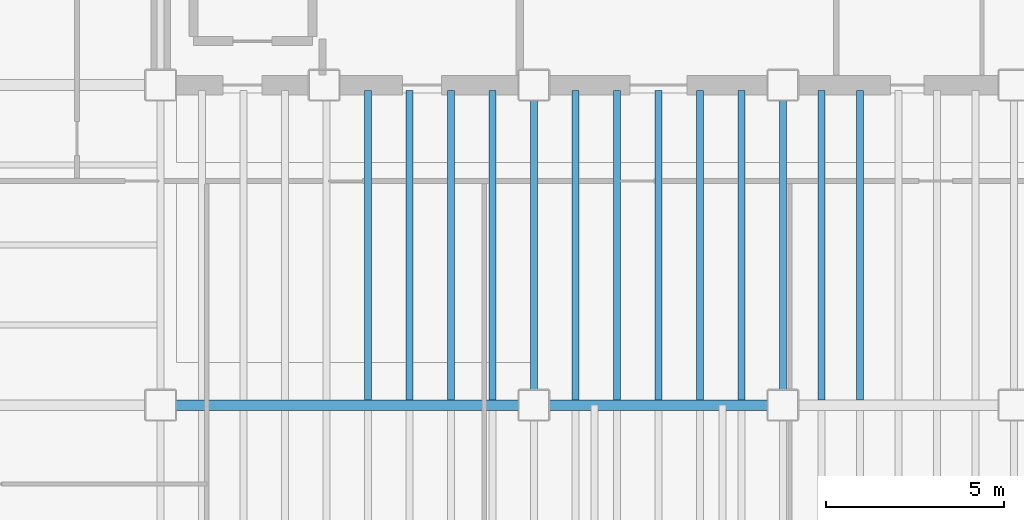
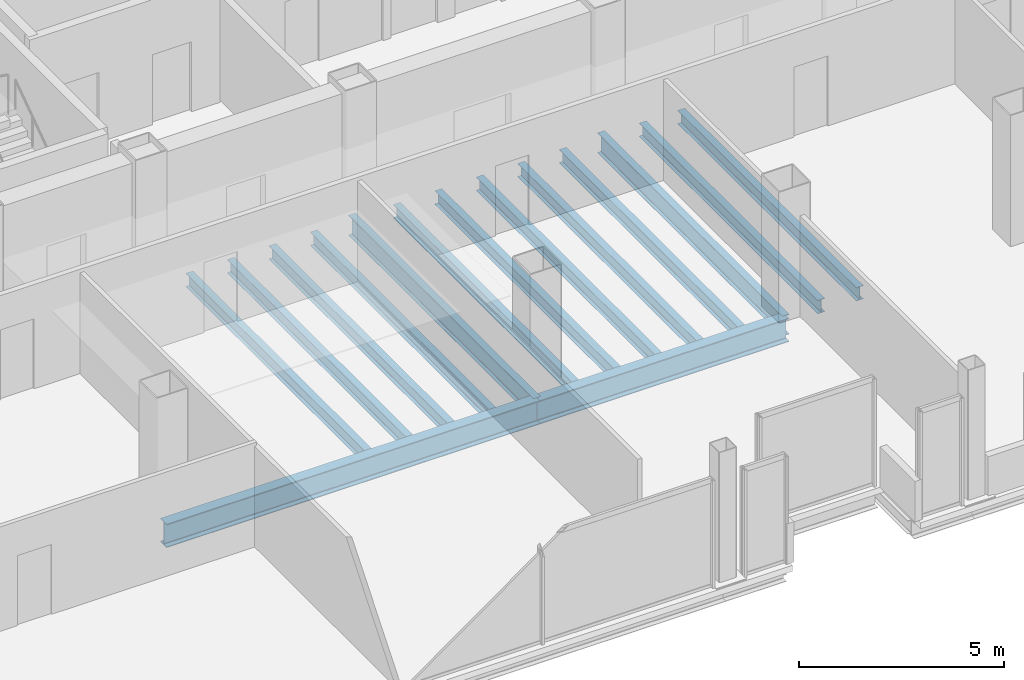
# One storey, part 6 of 20: 15 beams.
"""IFC4 building model written with IfcOpenShell, lengths in metres."""

import ifcopenshell
import ifcopenshell.guid

model = None  # the IFC model being written
_history = None  # IfcOwnerHistory: only IFC2X3 demands one
_inside = {}  # id of a spatial element -> (the spatial element, [elements in it])
_under = {}  # id of a project, library or spatial element -> (it, [spatial elements below it])
_declared = {}  # id of a project -> (the project, [libraries it declares])
_typed = {}  # id of a type object -> (the type object, [elements of that type])
_made_of = {}  # id of a material, layer set ... -> (it, [elements and type objects made of it])


def new_model(schema):
    """Start an empty IFC model of exactly this schema.

    Asked for "IFC4X3", IfcOpenShell would pick the latest addendum, in which some entities
    have other attributes; the version numbers below select the first issue.
    IFC2X3 requires an IfcOwnerHistory on every rooted entity: one is made here for all.
    """
    global model, _history
    if schema == "IFC4X3":
        model = ifcopenshell.file(schema_version=(4, 3, 0, 0))
    else:
        model = ifcopenshell.file(schema=schema)
    _inside.clear()
    _under.clear()
    _declared.clear()
    _typed.clear()
    _made_of.clear()
    _history = None
    if model.schema == "IFC2X3":
        org = make("IfcOrganization", Name="unknown")
        user = make(
            "IfcPersonAndOrganization",
            ThePerson=make("IfcPerson", FamilyName="unknown"),
            TheOrganization=org,
        )
        app = make(
            "IfcApplication",
            ApplicationDeveloper=org,
            Version="unknown",
            ApplicationFullName="unknown",
            ApplicationIdentifier="unknown",
        )
        _history = make(
            "IfcOwnerHistory",
            OwningUser=user,
            OwningApplication=app,
            ChangeAction="ADDED",
            CreationDate=0,
        )
    return model


def make(cls, **values):
    """One entity of the class cls with the attributes given. An attribute that is None is left unset."""
    return model.create_entity(
        cls, **{name: value for name, value in values.items() if value is not None}
    )


def rooted(cls, **values):
    """An entity with a GlobalId (a new one), such as an element, a storey or a relation."""
    return make(cls, GlobalId=ifcopenshell.guid.new(), OwnerHistory=_history, **values)


def si_unit(unit_type, name, prefix=None):
    """IfcSIUnit, for example si_unit("LENGTHUNIT", "METRE", prefix="MILLI")."""
    return make("IfcSIUnit", UnitType=unit_type, Prefix=prefix, Name=name)


def assignment(units):
    """IfcUnitAssignment: the units of a project."""
    return None if units is None else make("IfcUnitAssignment", Units=units)


def point(xyz):
    """IfcCartesianPoint."""
    return None if xyz is None else make("IfcCartesianPoint", Coordinates=xyz)


def direction(xyz):
    """IfcDirection."""
    return None if xyz is None else make("IfcDirection", DirectionRatios=xyz)


def frame(location, z_axis=None, x_axis=None):
    """IfcAxis2Placement3D, a coordinate frame: its origin and axes. An axis left out is left unset."""
    return make(
        "IfcAxis2Placement3D",
        Location=point(location),
        Axis=direction(z_axis),
        RefDirection=direction(x_axis),
    )


def frame_2d(location, x_axis=None):
    """IfcAxis2Placement2D, a coordinate frame in the plane: its origin and x axis."""
    return make(
        "IfcAxis2Placement2D", Location=point(location), RefDirection=direction(x_axis)
    )


def origin():
    """The frame at (0, 0, 0) with its axes left unset."""
    return frame((0.0, 0.0, 0.0))


def origin_2d():
    """The frame at (0, 0) in the plane with its x axis left unset."""
    return frame_2d((0.0, 0.0))


def place(relative_to, where):
    """IfcLocalPlacement: puts the frame where relative to a parent placement (None: the world)."""
    return make(
        "IfcLocalPlacement", PlacementRelTo=relative_to, RelativePlacement=where
    )


def context(
    kind, dimensions, precision=None, world=None, true_north=None, identifier=None
):
    """IfcGeometricRepresentationContext, for example the 3D "Model" context."""
    return make(
        "IfcGeometricRepresentationContext",
        ContextIdentifier=identifier,
        ContextType=kind,
        CoordinateSpaceDimension=dimensions,
        Precision=precision,
        WorldCoordinateSystem=world,
        TrueNorth=true_north,
    )


def subcontext(parent, identifier, kind, view, scale=None):
    """IfcGeometricRepresentationSubContext, for example "Body" below "Model"."""
    return make(
        "IfcGeometricRepresentationSubContext",
        ContextIdentifier=identifier,
        ContextType=kind,
        ParentContext=parent,
        TargetScale=scale,
        TargetView=view,
    )


def project(units=None, contexts=None):
    """IfcProject with its units and contexts."""
    return rooted(
        "IfcProject",
        Name="project",
        RepresentationContexts=contexts,
        UnitsInContext=assignment(units),
    )


def spatial(cls, under=None, at=None, **own):
    """A site, building, storey or space (cls), placed at a placement, below another one or the project."""
    s = rooted(cls, ObjectPlacement=at, **own)
    if under is not None:
        _under.setdefault(under.id(), (under, []))[1].append(s)
    return s


def profile(cls, at=None, kind="AREA", **sizes):
    """A parametric profile (cls). Its sizes go by their IFC names, for example OverallWidth=200.0."""
    return make(cls, ProfileType=kind, Position=at, **sizes)


def i_section(**sizes):
    """IfcIShapeProfileDef."""
    return profile("IfcIShapeProfileDef", **sizes)


def extrude(swept, where, along, depth):
    """IfcExtrudedAreaSolid: the profile swept, set in the frame where, extruded along a direction by depth."""
    return make(
        "IfcExtrudedAreaSolid",
        SweptArea=swept,
        Position=where,
        ExtrudedDirection=direction(along),
        Depth=depth,
    )


def shape(context_of_items, identifier, shape_type, items):
    """IfcShapeRepresentation: the items that make up one representation, for example the "Body"."""
    return make(
        "IfcShapeRepresentation",
        ContextOfItems=context_of_items,
        RepresentationIdentifier=identifier,
        RepresentationType=shape_type,
        Items=items,
    )


def material(Name=None, Category=None):
    """IfcMaterial."""
    return make("IfcMaterial", Name=Name, Category=Category)


def material_profile(
    of_material, cross_section, Name=None, Category=None, Priority=None
):
    """IfcMaterialProfile: a cross section and its material."""
    return make(
        "IfcMaterialProfile",
        Name=Name,
        Material=of_material,
        Profile=cross_section,
        Priority=Priority,
        Category=Category,
    )


def profile_set(profiles, Name=None, composite=None):
    """IfcMaterialProfileSet."""
    return make(
        "IfcMaterialProfileSet",
        Name=Name,
        MaterialProfiles=profiles,
        CompositeProfile=composite,
    )


def made_of(thing, what):
    """Note that an element or type object is made of a material, layer set ...; save() writes the relation."""
    if what is not None:
        _made_of.setdefault(what.id(), (what, []))[1].append(thing)
    return thing


def type_object(cls, material=None, **own):
    """A type object (cls), such as IfcWallType, which elements share."""
    return made_of(rooted(cls, **own), material)


def element(
    cls,
    number,
    at=None,
    inside=None,
    cuts=None,
    type_object=None,
    material=None,
    context=None,
    identifier="Body",
    shape_type=None,
    held_by="IfcProductDefinitionShape",
    body=None,
    shapes=None,
    **own,
):
    """One element of the class cls, such as IfcWall. Its Tag is "e" and its number.

    at: its placement. inside: the storey or other place that contains it. cuts: it is an
    opening in that element (IfcRelVoidsElement). A single representation is given by context,
    identifier, shape_type and body (its items); several are given by shapes. held_by: the class
    of the entity that holds the representations. save() writes the other relations.
    """
    e = rooted(cls, Tag="e%d" % number, ObjectPlacement=at, **own)
    if body is not None:
        shapes = [shape(context, identifier, shape_type, body)]
    if shapes is not None:
        e.Representation = make(held_by, Representations=shapes)
    if inside is not None:
        _inside.setdefault(inside.id(), (inside, []))[1].append(e)
    if cuts is not None:
        rooted(
            "IfcRelVoidsElement", RelatingBuildingElement=cuts, RelatedOpeningElement=e
        )
    if type_object is not None:
        _typed.setdefault(type_object.id(), (type_object, []))[1].append(e)
    return made_of(e, material)


def aggregate(whole, parts):
    """IfcRelAggregates: a whole, such as a stair, and the parts it consists of."""
    return rooted("IfcRelAggregates", RelatingObject=whole, RelatedObjects=parts)


def save(model, path):
    """Write the relations noted so far, then the file.

    IfcRelAggregates (storeys below a building ...), IfcRelContainedInSpatialStructure (elements
    in a storey), IfcRelDefinesByType, IfcRelAssociatesMaterial and IfcRelDeclares: one each for
    every whole, place, type object, material and project.
    """
    for whole, parts in _under.values():
        aggregate(whole, parts)
    for where, things in _inside.values():
        rooted(
            "IfcRelContainedInSpatialStructure",
            RelatedElements=things,
            RelatingStructure=where,
        )
    for kind, things in _typed.values():
        rooted("IfcRelDefinesByType", RelatedObjects=things, RelatingType=kind)
    for what, things in _made_of.values():
        rooted("IfcRelAssociatesMaterial", RelatedObjects=things, RelatingMaterial=what)
    for by, libraries in _declared.values():
        rooted("IfcRelDeclares", RelatingContext=by, RelatedDefinitions=libraries)
    model.write(path)


model = new_model("IFC4")

# Units and contexts
model_context = context("Model", 3, precision=1e-05, world=origin(), true_north=direction((0.0, 1.0)))
body_context = subcontext(model_context, "Body", "Model", "MODEL_VIEW")
ifc_project = project(units=[si_unit("LENGTHUNIT", "METRE"), si_unit("AREAUNIT", "SQUARE_METRE"), si_unit("VOLUMEUNIT", "CUBIC_METRE"), si_unit("PLANEANGLEUNIT", "RADIAN"), si_unit("MASSUNIT", "GRAM", prefix="KILO")], contexts=[model_context])

# Site, building, storey
site_placement = place(None, origin())
site = spatial("IfcSite", under=ifc_project, at=site_placement, CompositionType="ELEMENT")
building_placement = place(site_placement, origin())
building = spatial("IfcBuilding", under=site, at=building_placement, Name="Noeulbin Bourse Tower", CompositionType="ELEMENT")
storey_placement = place(building_placement, frame((0.0, 0.0, 122.699951171875)))
storey = spatial("IfcBuildingStorey", under=building, at=storey_placement, Name="L30", CompositionType="ELEMENT", Elevation=122.699951171875)

# Beams
ifc_material = material(Name="Steel S355", Category="steel")
ifc_material_profile_1 = material_profile(ifc_material, i_section(OverallWidth=0.199951171875, OverallDepth=0.60009765625, WebThickness=0.010986328125, FlangeThickness=0.01708984375, FilletRadius=0.02197265625, at=origin_2d()), Name="H-600x200x11x17", Category="LoadBearing")
ifc_profile_set_1 = profile_set([ifc_material_profile_1], Name="Steel S355")
beam_type_1 = type_object("IfcBeamType", Name="BM-GRD-600", PredefinedType="USERDEFINED", material=ifc_profile_set_1)
for number, where, z_axis, x_axis, name in (
    (1, (24.0, 20.0, -0.47998046875), (0.0, 1.0, 0.0), (-1.0, 0.0, 0.0), "Tower Primary Girder NS L30-2.2"),
    (2, (31.0, 20.0, -0.47998046875), (0.0, 1.0, 0.0), (-1.0, 0.0, 0.0), "Tower Primary Girder NS L30-3.2"),
):
    element("IfcBeam", number, at=place(storey_placement, frame(where, z_axis=z_axis, x_axis=x_axis)), inside=storey, type_object=beam_type_1, Name=name, ObjectType="GIRDER", PredefinedType="USERDEFINED", context=body_context, shape_type="SweptSolid", body=[
        extrude(i_section(OverallWidth=0.199951171875, OverallDepth=0.60009765625, WebThickness=0.010986328125, FlangeThickness=0.01708984375, FilletRadius=0.02197265625, at=origin_2d()), origin(), (0.0, 0.0, 1.0), 9.0),
    ])
ifc_material_profile_2 = material_profile(ifc_material, i_section(OverallWidth=0.300048828125, OverallDepth=0.699951171875, WebThickness=0.012939453125, FlangeThickness=0.02392578125, FilletRadius=0.02392578125, at=origin_2d()), Name="H-700x300x13x24", Category="LoadBearing")
ifc_profile_set_2 = profile_set([ifc_material_profile_2], Name="Steel S355")
beam_type_2 = type_object("IfcBeamType", Name="BM-GRD-700", PredefinedType="USERDEFINED", material=ifc_profile_set_2)
beam_1_placement = place(storey_placement, frame((13.5, 20.0, -0.530029296875), z_axis=(1.0, 0.0, 0.0), x_axis=(0.0, 1.0, 0.0)))
element("IfcBeam", 3, at=beam_1_placement, inside=storey, type_object=beam_type_2, Name="Tower Primary Girder EW L30-1.2", ObjectType="GIRDER", PredefinedType="USERDEFINED", context=body_context, shape_type="SweptSolid", body=[
    extrude(i_section(OverallWidth=0.300048828125, OverallDepth=0.699951171875, WebThickness=0.012939453125, FlangeThickness=0.02392578125, FilletRadius=0.02392578125, at=origin_2d()), origin(), (0.0, 0.0, 1.0), 10.5),
])
beam_2_placement = place(storey_placement, frame((24.0, 20.0, -0.530029296875), z_axis=(1.0, 0.0, 0.0), x_axis=(0.0, 1.0, 0.0)))
element("IfcBeam", 4, at=beam_2_placement, inside=storey, type_object=beam_type_2, Name="Tower Primary Girder EW L30-1.3", ObjectType="GIRDER", PredefinedType="USERDEFINED", context=body_context, shape_type="SweptSolid", body=[
    extrude(i_section(OverallWidth=0.300048828125, OverallDepth=0.699951171875, WebThickness=0.012939453125, FlangeThickness=0.02392578125, FilletRadius=0.02392578125, at=origin_2d()), origin(), (0.0, 0.0, 1.0), 7.0),
])
ifc_material_profile_3 = material_profile(ifc_material, i_section(OverallWidth=0.199951171875, OverallDepth=0.39990234375, WebThickness=0.008056640625, FlangeThickness=0.012939453125, FilletRadius=0.01611328125, at=origin_2d()), Name="H-400x200x8x13", Category="LoadBearing")
ifc_profile_set_3 = profile_set([ifc_material_profile_3], Name="Steel S355")
beam_type_3 = type_object("IfcBeamType", Name="BM-SEC-400", PredefinedType="BEAM", material=ifc_profile_set_3)
for number, where, z_axis, x_axis, name in (
    (5, (19.333251953125, 20.14990234375, -0.3798828125), (0.0, 1.0, 0.0), (-1.0, 0.0, 0.0), "Tower Composite Joist L30-10"),
    (6, (20.5, 20.14990234375, -0.3798828125), (0.0, 1.0, 0.0), (-1.0, 0.0, 0.0), "Tower Composite Joist L30-12"),
    (7, (21.666748046875, 20.14990234375, -0.3798828125), (0.0, 1.0, 0.0), (-1.0, 0.0, 0.0), "Tower Composite Joist L30-14"),
    (8, (22.833251953125, 20.14990234375, -0.3798828125), (0.0, 1.0, 0.0), (-1.0, 0.0, 0.0), "Tower Composite Joist L30-16"),
    (9, (25.166748046875, 20.14990234375, -0.3798828125), (0.0, 1.0, 0.0), (-1.0, 0.0, 0.0), "Tower Composite Joist L30-18"),
    (10, (26.333251953125, 20.14990234375, -0.3798828125), (0.0, 1.0, 0.0), (-1.0, 0.0, 0.0), "Tower Composite Joist L30-20"),
    (11, (27.5, 20.14990234375, -0.3798828125), (0.0, 1.0, 0.0), (-1.0, 0.0, 0.0), "Tower Composite Joist L30-22"),
    (12, (28.666748046875, 20.14990234375, -0.3798828125), (0.0, 1.0, 0.0), (-1.0, 0.0, 0.0), "Tower Composite Joist L30-24"),
    (13, (29.833251953125, 20.14990234375, -0.3798828125), (0.0, 1.0, 0.0), (-1.0, 0.0, 0.0), "Tower Composite Joist L30-26"),
    (14, (32.083251953125, 20.14990234375, -0.3798828125), (0.0, 1.0, 0.0), (-1.0, 0.0, 0.0), "Tower Composite Joist L30-28"),
    (15, (33.166748046875, 20.14990234375, -0.3798828125), (0.0, 1.0, 0.0), (-1.0, 0.0, 0.0), "Tower Composite Joist L30-30"),
):
    element("IfcBeam", number, at=place(storey_placement, frame(where, z_axis=z_axis, x_axis=x_axis)), inside=storey, type_object=beam_type_3, Name=name, PredefinedType="BEAM", context=body_context, shape_type="SweptSolid", body=[
        extrude(i_section(OverallWidth=0.199951171875, OverallDepth=0.39990234375, WebThickness=0.008056640625, FlangeThickness=0.012939453125, FilletRadius=0.01611328125, at=origin_2d()), origin(), (0.0, 0.0, 1.0), 8.7001953125),
    ])

save(model, "model.ifc")
